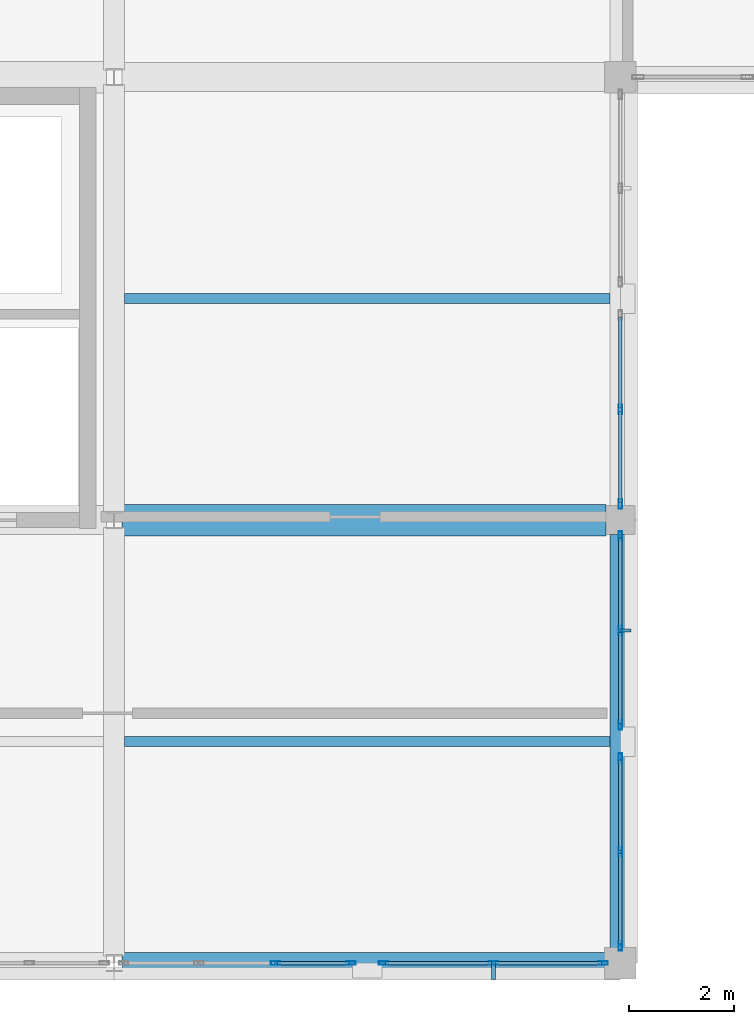
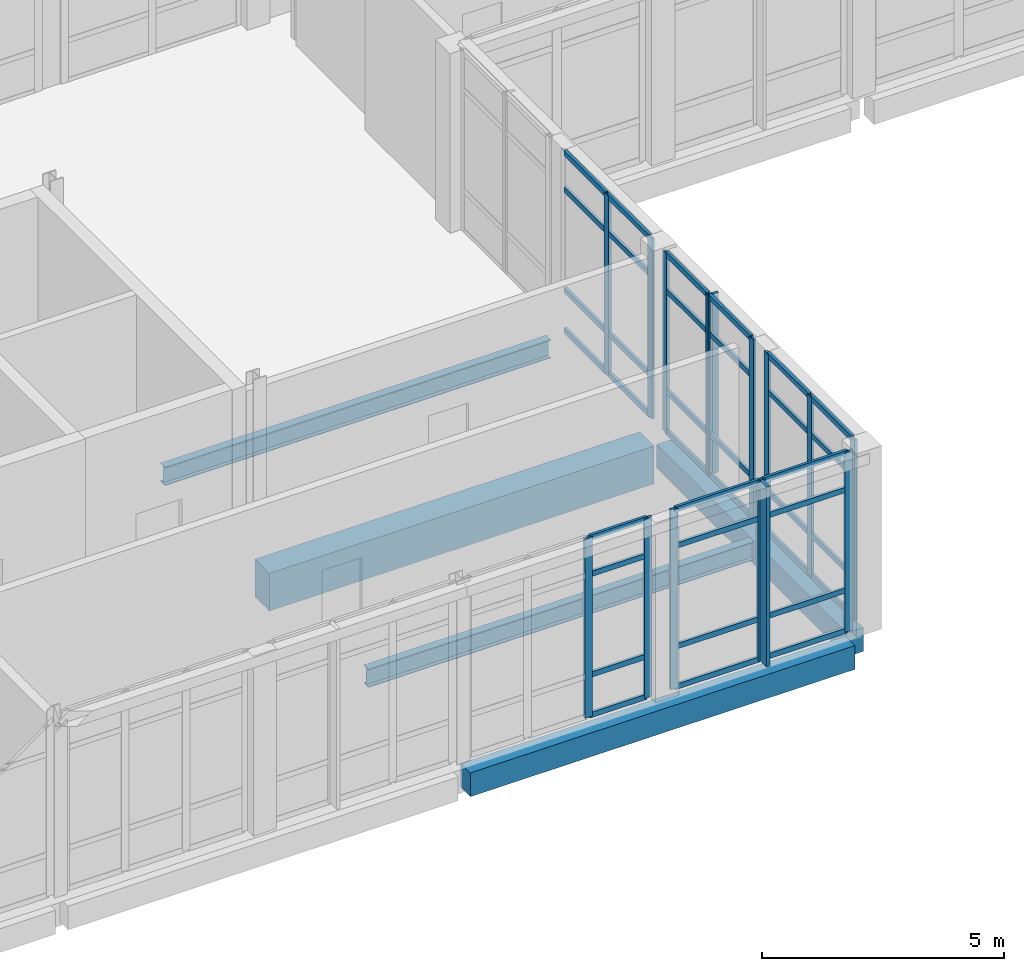
# One storey, part 16 of 88: 51 members, 5 beams, 5 elements without a shape of their own.
"""IFC4 building model written with IfcOpenShell, lengths in metres."""

from ifc_helpers import new_model, si_unit, direction, frame, origin, origin_2d, place, context, subcontext, project, spatial, rectangle, hollow_rectangle, i_section, extrude, material, layer, layer_set, material_profile, profile_set, type_object, element, aggregate, save


model = new_model("IFC4")

# Units and contexts
model_context = context("Model", 3, precision=1e-05, world=origin(), true_north=direction((0.0, 1.0)))
body_context = subcontext(model_context, "Body", "Model", "MODEL_VIEW")
ifc_project = project(units=[si_unit("LENGTHUNIT", "METRE"), si_unit("AREAUNIT", "SQUARE_METRE"), si_unit("VOLUMEUNIT", "CUBIC_METRE"), si_unit("PLANEANGLEUNIT", "RADIAN"), si_unit("MASSUNIT", "GRAM", prefix="KILO")], contexts=[model_context])

# Site, building, storey
site_placement = place(None, origin())
site = spatial("IfcSite", under=ifc_project, at=site_placement, CompositionType="ELEMENT")
building_placement = place(site_placement, origin())
building = spatial("IfcBuilding", under=site, at=building_placement, Name="Lornevale Opera House", CompositionType="ELEMENT")
storey_placement = place(building_placement, frame((0.0, 0.0, 10.199951171875)))
storey = spatial("IfcBuildingStorey", under=building, at=storey_placement, Name="L03", CompositionType="ELEMENT", Elevation=10.199951171875)

# Beams
ifc_material_1 = material(Name="Concrete 35 MPa (CSA A23.1 N)", Category="concrete")
ifc_material_profile_1 = material_profile(ifc_material_1, rectangle(XDim=0.60009765625, YDim=0.949951171875, at=origin_2d()), Name="RC600x950")
ifc_profile_set_1 = profile_set([ifc_material_profile_1], Name="Concrete 35 MPa (CSA A23.1 N)")
beam_type_1 = type_object("IfcBeamType", Name="Concrete Primary Girder 600x950", PredefinedType="USERDEFINED", material=ifc_profile_set_1)
beam_1_placement = place(storey_placement, frame((28.947021484375, 8.39990234375, -0.7548828125), z_axis=(1.0, 0.0, 0.0), x_axis=(0.0, 1.0, 0.0)))
element("IfcBeam", 1, at=beam_1_placement, inside=storey, type_object=beam_type_1, Name="Concrete Primary Girder 600x950 2088", ObjectType="GIRDER", PredefinedType="USERDEFINED", context=body_context, shape_type="SweptSolid", body=[
    extrude(rectangle(XDim=0.60009765625, YDim=0.949951171875, at=origin_2d()), origin(), (0.0, 0.0, 1.0), 9.177978515625),
])
ifc_material_profile_2 = material_profile(ifc_material_1, rectangle(XDim=0.39990234375, YDim=0.60009765625, at=origin_2d()), Name="RC400x600")
ifc_profile_set_2 = profile_set([ifc_material_profile_2], Name="Concrete 35 MPa (CSA A23.1 N)")
beam_type_2 = type_object("IfcBeamType", Name="Concrete Spandrel Beam 400x600", PredefinedType="SPANDREL", material=ifc_profile_set_2)
beam_2_placement = place(storey_placement, frame((28.947021484375, 0.0, -0.579833984375), z_axis=(1.0, 0.0, 0.0), x_axis=(0.0, 1.0, 0.0)))
element("IfcBeam", 2, at=beam_2_placement, inside=storey, type_object=beam_type_2, Name="Concrete Spandrel Beam 400x600 2085", PredefinedType="SPANDREL", context=body_context, shape_type="SweptSolid", body=[
    extrude(rectangle(XDim=0.39990234375, YDim=0.60009765625, at=origin_2d()), origin(), (0.0, 0.0, 1.0), 9.177978515625),
])
beam_3_placement = place(storey_placement, frame((38.39990234375, 0.27490234375, -0.579833984375), z_axis=(0.0, 1.0, 0.0), x_axis=(-1.0, 0.0, 0.0)))
element("IfcBeam", 3, at=beam_3_placement, inside=storey, type_object=beam_type_2, Name="Concrete Spandrel Beam 400x600 2257", PredefinedType="SPANDREL", context=body_context, shape_type="SweptSolid", body=[
    extrude(rectangle(XDim=0.39990234375, YDim=0.60009765625, at=origin_2d()), origin(), (0.0, 0.0, 1.0), 7.85009765625),
])

# Curtain wall, members
ifc_material_2 = material(Name="Anodized Oxide-Green Aluminium Framing", Category="aluminium")
ifc_layer = layer(ifc_material_2, 0.175048828125)
ifc_layer_set = layer_set([ifc_layer], Name="Anodized Oxide-Green Aluminium Framing")
curtain_wall_type = type_object("IfcCurtainWallType", Name="Chamber Cloister Curtain Wall M1700", PredefinedType="NOTDEFINED", material=ifc_layer_set)
curtain_wall_1_placement = place(storey_placement, origin())
curtain_wall_1 = element("IfcCurtainWall", 4, at=curtain_wall_1_placement, inside=storey, type_object=curtain_wall_type, Name="Chamber Cloister Curtain Wall M1700 CW-116", PredefinedType="NOTDEFINED")
ifc_material_profile_3 = material_profile(ifc_material_2, hollow_rectangle(XDim=0.06494140625, YDim=0.179931640625, WallThickness=0.0048828125, at=origin_2d()), Name="ALU65x180x5")
ifc_profile_set_3 = profile_set([ifc_material_profile_3], Name="Anodized Oxide-Green Aluminium Framing")
member_type_1 = type_object("IfcMemberType", Name="Curtain Wall Mullion 65x180", PredefinedType="MULLION", material=ifc_profile_set_3)
member_1_placement = place(storey_placement, frame((38.071533203125, 0.0, 0.0), z_axis=(0.0, 0.0, 1.0), x_axis=(0.0, -1.0, 0.0)))
member_1 = element("IfcMember", 5, at=member_1_placement, type_object=member_type_1, Name="Curtain Wall Mullion 65x180 CW2420", PredefinedType="MULLION", context=body_context, shape_type="SweptSolid", body=[
    extrude(hollow_rectangle(XDim=0.06494140625, YDim=0.179931640625, WallThickness=0.0048828125, at=origin_2d()), origin(), (0.0, 0.0, 1.0), 4.5400390625),
])
member_2_placement = place(storey_placement, frame((35.991943359375, 0.0, 0.0), z_axis=(0.0, 0.0, 1.0), x_axis=(0.0, -1.0, 0.0)))
member_2 = element("IfcMember", 6, at=member_2_placement, type_object=member_type_1, Name="Curtain Wall Mullion 65x180 CW2421", PredefinedType="MULLION", context=body_context, shape_type="SweptSolid", body=[
    extrude(hollow_rectangle(XDim=0.06494140625, YDim=0.179931640625, WallThickness=0.0048828125, at=origin_2d()), origin(), (0.0, 0.0, 1.0), 4.5400390625),
])
member_3_placement = place(storey_placement, frame((33.91259765625, 0.0, 0.0), z_axis=(0.0, 0.0, 1.0), x_axis=(0.0, -1.0, 0.0)))
member_3 = element("IfcMember", 7, at=member_3_placement, type_object=member_type_1, Name="Curtain Wall Mullion 65x180 CW2422", PredefinedType="MULLION", context=body_context, shape_type="SweptSolid", body=[
    extrude(hollow_rectangle(XDim=0.06494140625, YDim=0.179931640625, WallThickness=0.0048828125, at=origin_2d()), origin(), (0.0, 0.0, 1.0), 4.5400390625),
])

curtain_wall_2_placement = place(storey_placement, origin())
curtain_wall_2 = element("IfcCurtainWall", 8, at=curtain_wall_2_placement, inside=storey, type_object=curtain_wall_type, Name="Chamber Cloister Curtain Wall M1700 CW-117", PredefinedType="NOTDEFINED")
member_4_placement = place(storey_placement, frame((33.28759765625, 0.0, 0.0), z_axis=(0.0, 0.0, 1.0), x_axis=(0.0, -1.0, 0.0)))
member_4 = element("IfcMember", 9, at=member_4_placement, type_object=member_type_1, Name="Curtain Wall Mullion 65x180 CW2437", PredefinedType="MULLION", context=body_context, shape_type="SweptSolid", body=[
    extrude(hollow_rectangle(XDim=0.06494140625, YDim=0.179931640625, WallThickness=0.0048828125, at=origin_2d()), origin(), (0.0, 0.0, 1.0), 4.5400390625),
])
member_5_placement = place(storey_placement, frame((31.863525390625, 0.0, 0.0), z_axis=(0.0, 0.0, 1.0), x_axis=(0.0, -1.0, 0.0)))
member_5 = element("IfcMember", 10, at=member_5_placement, type_object=member_type_1, Name="Curtain Wall Mullion 65x180 CW2438", PredefinedType="MULLION", context=body_context, shape_type="SweptSolid", body=[
    extrude(hollow_rectangle(XDim=0.06494140625, YDim=0.179931640625, WallThickness=0.0048828125, at=origin_2d()), origin(), (0.0, 0.0, 1.0), 4.5400390625),
])

curtain_wall_3_placement = place(storey_placement, origin())
curtain_wall_3 = element("IfcCurtainWall", 11, at=curtain_wall_3_placement, inside=storey, type_object=curtain_wall_type, Name="Chamber Cloister Curtain Wall M1700 CW-118", PredefinedType="NOTDEFINED")
member_6_placement = place(storey_placement, frame((38.39990234375, 8.096435546875, 0.0), z_axis=(0.0, 0.0, 1.0), x_axis=(1.0, 0.0, 0.0)))
member_6 = element("IfcMember", 12, at=member_6_placement, type_object=member_type_1, Name="Curtain Wall Mullion 65x180 CW2462", PredefinedType="MULLION", context=body_context, shape_type="SweptSolid", body=[
    extrude(hollow_rectangle(XDim=0.06494140625, YDim=0.179931640625, WallThickness=0.0048828125, at=origin_2d()), origin(), (0.0, 0.0, 1.0), 4.5400390625),
])
member_7_placement = place(storey_placement, frame((38.39990234375, 6.304443359375, 0.0), z_axis=(0.0, 0.0, 1.0), x_axis=(1.0, 0.0, 0.0)))
member_7 = element("IfcMember", 13, at=member_7_placement, type_object=member_type_1, Name="Curtain Wall Mullion 65x180 CW2463", PredefinedType="MULLION", context=body_context, shape_type="SweptSolid", body=[
    extrude(hollow_rectangle(XDim=0.06494140625, YDim=0.179931640625, WallThickness=0.0048828125, at=origin_2d()), origin(), (0.0, 0.0, 1.0), 4.5400390625),
])
member_8_placement = place(storey_placement, frame((38.39990234375, 4.512451171875, 0.0), z_axis=(0.0, 0.0, 1.0), x_axis=(1.0, 0.0, 0.0)))
member_8 = element("IfcMember", 14, at=member_8_placement, type_object=member_type_1, Name="Curtain Wall Mullion 65x180 CW2464", PredefinedType="MULLION", context=body_context, shape_type="SweptSolid", body=[
    extrude(hollow_rectangle(XDim=0.06494140625, YDim=0.179931640625, WallThickness=0.0048828125, at=origin_2d()), origin(), (0.0, 0.0, 1.0), 4.5400390625),
])

curtain_wall_4_placement = place(storey_placement, origin())
curtain_wall_4 = element("IfcCurtainWall", 15, at=curtain_wall_4_placement, inside=storey, type_object=curtain_wall_type, Name="Chamber Cloister Curtain Wall M1700 CW-119", PredefinedType="NOTDEFINED")
member_9_placement = place(storey_placement, frame((38.39990234375, 3.887451171875, 0.0), z_axis=(0.0, 0.0, 1.0), x_axis=(1.0, 0.0, 0.0)))
member_9 = element("IfcMember", 16, at=member_9_placement, type_object=member_type_1, Name="Curtain Wall Mullion 65x180 CW2479", PredefinedType="MULLION", context=body_context, shape_type="SweptSolid", body=[
    extrude(hollow_rectangle(XDim=0.06494140625, YDim=0.179931640625, WallThickness=0.0048828125, at=origin_2d()), origin(), (0.0, 0.0, 1.0), 4.5400390625),
])
member_10_placement = place(storey_placement, frame((38.39990234375, 2.10791015625, 0.0), z_axis=(0.0, 0.0, 1.0), x_axis=(1.0, 0.0, 0.0)))
member_10 = element("IfcMember", 17, at=member_10_placement, type_object=member_type_1, Name="Curtain Wall Mullion 65x180 CW2480", PredefinedType="MULLION", context=body_context, shape_type="SweptSolid", body=[
    extrude(hollow_rectangle(XDim=0.06494140625, YDim=0.179931640625, WallThickness=0.0048828125, at=origin_2d()), origin(), (0.0, 0.0, 1.0), 4.5400390625),
])
member_11_placement = place(storey_placement, frame((38.39990234375, 0.32861328125, 0.0), z_axis=(0.0, 0.0, 1.0), x_axis=(1.0, 0.0, 0.0)))
member_11 = element("IfcMember", 18, at=member_11_placement, type_object=member_type_1, Name="Curtain Wall Mullion 65x180 CW2481", PredefinedType="MULLION", context=body_context, shape_type="SweptSolid", body=[
    extrude(hollow_rectangle(XDim=0.06494140625, YDim=0.179931640625, WallThickness=0.0048828125, at=origin_2d()), origin(), (0.0, 0.0, 1.0), 4.5400390625),
])

curtain_wall_5_placement = place(storey_placement, origin())
curtain_wall_5 = element("IfcCurtainWall", 19, at=curtain_wall_5_placement, inside=storey, type_object=curtain_wall_type, Name="Chamber Cloister Curtain Wall M1700 CW-121", PredefinedType="NOTDEFINED")
member_12_placement = place(storey_placement, frame((38.39990234375, 10.49560546875, 0.0), z_axis=(0.0, 0.0, 1.0), x_axis=(1.0, 0.0, 0.0)))
member_12 = element("IfcMember", 20, at=member_12_placement, type_object=member_type_1, Name="Curtain Wall Mullion 65x180 CW2514", PredefinedType="MULLION", context=body_context, shape_type="SweptSolid", body=[
    extrude(hollow_rectangle(XDim=0.06494140625, YDim=0.179931640625, WallThickness=0.0048828125, at=origin_2d()), origin(), (0.0, 0.0, 1.0), 4.5400390625),
])
member_13_placement = place(storey_placement, frame((38.39990234375, 8.70361328125, 0.0), z_axis=(0.0, 0.0, 1.0), x_axis=(1.0, 0.0, 0.0)))
member_13 = element("IfcMember", 21, at=member_13_placement, type_object=member_type_1, Name="Curtain Wall Mullion 65x180 CW2515", PredefinedType="MULLION", context=body_context, shape_type="SweptSolid", body=[
    extrude(hollow_rectangle(XDim=0.06494140625, YDim=0.179931640625, WallThickness=0.0048828125, at=origin_2d()), origin(), (0.0, 0.0, 1.0), 4.5400390625),
])

# Member
ifc_material_profile_4 = material_profile(ifc_material_2, hollow_rectangle(XDim=0.06494140625, YDim=0.135009765625, WallThickness=0.00390625, at=origin_2d()), Name="ALU65x135x4")
ifc_profile_set_4 = profile_set([ifc_material_profile_4], Name="Anodized Oxide-Green Aluminium Framing")
member_type_2 = type_object("IfcMemberType", Name="Curtain Wall Transom 65x135", PredefinedType="USERDEFINED", material=ifc_profile_set_4)
member_14_placement = place(storey_placement, frame((38.0390625, 0.0, 0.032470703125), z_axis=(-1.0, 0.0, 0.0), x_axis=(0.0, -1.0, 0.0)))
member_14 = element("IfcMember", 22, at=member_14_placement, type_object=member_type_2, Name="Curtain Wall Transom 65x135 CW2423", ObjectType="TRANSOM", PredefinedType="USERDEFINED", context=body_context, shape_type="SweptSolid", body=[
    extrude(hollow_rectangle(XDim=0.06494140625, YDim=0.135009765625, WallThickness=0.00390625, at=origin_2d()), origin(), (0.0, 0.0, 1.0), 2.0146484375),
])

member_15_placement = place(storey_placement, frame((38.0390625, 0.0, 1.050048828125), z_axis=(-1.0, 0.0, 0.0), x_axis=(0.0, -1.0, 0.0)))
member_15 = element("IfcMember", 23, at=member_15_placement, type_object=member_type_2, Name="Curtain Wall Transom 65x135 CW2424", ObjectType="TRANSOM", PredefinedType="USERDEFINED", context=body_context, shape_type="SweptSolid", body=[
    extrude(hollow_rectangle(XDim=0.06494140625, YDim=0.135009765625, WallThickness=0.00390625, at=origin_2d()), origin(), (0.0, 0.0, 1.0), 2.0146484375),
])

member_16_placement = place(storey_placement, frame((38.0390625, 0.0, 3.590087890625), z_axis=(-1.0, 0.0, 0.0), x_axis=(0.0, -1.0, 0.0)))
member_16 = element("IfcMember", 24, at=member_16_placement, type_object=member_type_2, Name="Curtain Wall Transom 65x135 CW2425", ObjectType="TRANSOM", PredefinedType="USERDEFINED", context=body_context, shape_type="SweptSolid", body=[
    extrude(hollow_rectangle(XDim=0.06494140625, YDim=0.135009765625, WallThickness=0.00390625, at=origin_2d()), origin(), (0.0, 0.0, 1.0), 2.0146484375),
])

member_17_placement = place(storey_placement, frame((38.0390625, 0.0, 4.507568359375), z_axis=(-1.0, 0.0, 0.0), x_axis=(0.0, -1.0, 0.0)))
member_17 = element("IfcMember", 25, at=member_17_placement, type_object=member_type_2, Name="Curtain Wall Transom 65x135 CW2426", ObjectType="TRANSOM", PredefinedType="USERDEFINED", context=body_context, shape_type="SweptSolid", body=[
    extrude(hollow_rectangle(XDim=0.06494140625, YDim=0.135009765625, WallThickness=0.00390625, at=origin_2d()), origin(), (0.0, 0.0, 1.0), 2.0146484375),
])

member_18_placement = place(storey_placement, frame((35.95947265625, 0.0, 0.032470703125), z_axis=(-1.0, 0.0, 0.0), x_axis=(0.0, -1.0, 0.0)))
member_18 = element("IfcMember", 26, at=member_18_placement, type_object=member_type_2, Name="Curtain Wall Transom 65x135 CW2430", ObjectType="TRANSOM", PredefinedType="USERDEFINED", context=body_context, shape_type="SweptSolid", body=[
    extrude(hollow_rectangle(XDim=0.06494140625, YDim=0.135009765625, WallThickness=0.00390625, at=origin_2d()), origin(), (0.0, 0.0, 1.0), 2.014404296875),
])

member_19_placement = place(storey_placement, frame((35.95947265625, 0.0, 1.050048828125), z_axis=(-1.0, 0.0, 0.0), x_axis=(0.0, -1.0, 0.0)))
member_19 = element("IfcMember", 27, at=member_19_placement, type_object=member_type_2, Name="Curtain Wall Transom 65x135 CW2431", ObjectType="TRANSOM", PredefinedType="USERDEFINED", context=body_context, shape_type="SweptSolid", body=[
    extrude(hollow_rectangle(XDim=0.06494140625, YDim=0.135009765625, WallThickness=0.00390625, at=origin_2d()), origin(), (0.0, 0.0, 1.0), 2.014404296875),
])

member_20_placement = place(storey_placement, frame((35.95947265625, 0.0, 3.590087890625), z_axis=(-1.0, 0.0, 0.0), x_axis=(0.0, -1.0, 0.0)))
member_20 = element("IfcMember", 28, at=member_20_placement, type_object=member_type_2, Name="Curtain Wall Transom 65x135 CW2432", ObjectType="TRANSOM", PredefinedType="USERDEFINED", context=body_context, shape_type="SweptSolid", body=[
    extrude(hollow_rectangle(XDim=0.06494140625, YDim=0.135009765625, WallThickness=0.00390625, at=origin_2d()), origin(), (0.0, 0.0, 1.0), 2.014404296875),
])

member_21_placement = place(storey_placement, frame((35.95947265625, 0.0, 4.507568359375), z_axis=(-1.0, 0.0, 0.0), x_axis=(0.0, -1.0, 0.0)))
member_21 = element("IfcMember", 29, at=member_21_placement, type_object=member_type_2, Name="Curtain Wall Transom 65x135 CW2433", ObjectType="TRANSOM", PredefinedType="USERDEFINED", context=body_context, shape_type="SweptSolid", body=[
    extrude(hollow_rectangle(XDim=0.06494140625, YDim=0.135009765625, WallThickness=0.00390625, at=origin_2d()), origin(), (0.0, 0.0, 1.0), 2.014404296875),
])

member_22_placement = place(storey_placement, frame((33.2548828125, 0.0, 0.032470703125), z_axis=(-1.0, 0.0, 0.0), x_axis=(0.0, -1.0, 0.0)))
member_22 = element("IfcMember", 30, at=member_22_placement, type_object=member_type_2, Name="Curtain Wall Transom 65x135 CW2441", ObjectType="TRANSOM", PredefinedType="USERDEFINED", context=body_context, shape_type="SweptSolid", body=[
    extrude(hollow_rectangle(XDim=0.06494140625, YDim=0.135009765625, WallThickness=0.00390625, at=origin_2d()), origin(), (0.0, 0.0, 1.0), 1.35888671875),
])

member_23_placement = place(storey_placement, frame((33.2548828125, 0.0, 1.050048828125), z_axis=(-1.0, 0.0, 0.0), x_axis=(0.0, -1.0, 0.0)))
member_23 = element("IfcMember", 31, at=member_23_placement, type_object=member_type_2, Name="Curtain Wall Transom 65x135 CW2442", ObjectType="TRANSOM", PredefinedType="USERDEFINED", context=body_context, shape_type="SweptSolid", body=[
    extrude(hollow_rectangle(XDim=0.06494140625, YDim=0.135009765625, WallThickness=0.00390625, at=origin_2d()), origin(), (0.0, 0.0, 1.0), 1.35888671875),
])

member_24_placement = place(storey_placement, frame((33.2548828125, 0.0, 3.590087890625), z_axis=(-1.0, 0.0, 0.0), x_axis=(0.0, -1.0, 0.0)))
member_24 = element("IfcMember", 32, at=member_24_placement, type_object=member_type_2, Name="Curtain Wall Transom 65x135 CW2443", ObjectType="TRANSOM", PredefinedType="USERDEFINED", context=body_context, shape_type="SweptSolid", body=[
    extrude(hollow_rectangle(XDim=0.06494140625, YDim=0.135009765625, WallThickness=0.00390625, at=origin_2d()), origin(), (0.0, 0.0, 1.0), 1.35888671875),
])

member_25_placement = place(storey_placement, frame((33.2548828125, 0.0, 4.507568359375), z_axis=(-1.0, 0.0, 0.0), x_axis=(0.0, -1.0, 0.0)))
member_25 = element("IfcMember", 33, at=member_25_placement, type_object=member_type_2, Name="Curtain Wall Transom 65x135 CW2444", ObjectType="TRANSOM", PredefinedType="USERDEFINED", context=body_context, shape_type="SweptSolid", body=[
    extrude(hollow_rectangle(XDim=0.06494140625, YDim=0.135009765625, WallThickness=0.00390625, at=origin_2d()), origin(), (0.0, 0.0, 1.0), 1.35888671875),
])

aggregate(curtain_wall_2, [member_4, member_5, member_22, member_23, member_24, member_25])

member_26_placement = place(storey_placement, frame((38.39990234375, 8.06396484375, 0.032470703125), z_axis=(0.0, -1.0, 0.0), x_axis=(1.0, 0.0, 0.0)))
member_26 = element("IfcMember", 34, at=member_26_placement, type_object=member_type_2, Name="Curtain Wall Transom 65x135 CW2465", ObjectType="TRANSOM", PredefinedType="USERDEFINED", context=body_context, shape_type="SweptSolid", body=[
    extrude(hollow_rectangle(XDim=0.06494140625, YDim=0.135009765625, WallThickness=0.00390625, at=origin_2d()), origin(), (0.0, 0.0, 1.0), 1.72705078125),
])

member_27_placement = place(storey_placement, frame((38.39990234375, 8.06396484375, 1.050048828125), z_axis=(0.0, -1.0, 0.0), x_axis=(1.0, 0.0, 0.0)))
member_27 = element("IfcMember", 35, at=member_27_placement, type_object=member_type_2, Name="Curtain Wall Transom 65x135 CW2466", ObjectType="TRANSOM", PredefinedType="USERDEFINED", context=body_context, shape_type="SweptSolid", body=[
    extrude(hollow_rectangle(XDim=0.06494140625, YDim=0.135009765625, WallThickness=0.00390625, at=origin_2d()), origin(), (0.0, 0.0, 1.0), 1.72705078125),
])

member_28_placement = place(storey_placement, frame((38.39990234375, 8.06396484375, 3.590087890625), z_axis=(0.0, -1.0, 0.0), x_axis=(1.0, 0.0, 0.0)))
member_28 = element("IfcMember", 36, at=member_28_placement, type_object=member_type_2, Name="Curtain Wall Transom 65x135 CW2467", ObjectType="TRANSOM", PredefinedType="USERDEFINED", context=body_context, shape_type="SweptSolid", body=[
    extrude(hollow_rectangle(XDim=0.06494140625, YDim=0.135009765625, WallThickness=0.00390625, at=origin_2d()), origin(), (0.0, 0.0, 1.0), 1.72705078125),
])

member_29_placement = place(storey_placement, frame((38.39990234375, 8.06396484375, 4.507568359375), z_axis=(0.0, -1.0, 0.0), x_axis=(1.0, 0.0, 0.0)))
member_29 = element("IfcMember", 37, at=member_29_placement, type_object=member_type_2, Name="Curtain Wall Transom 65x135 CW2468", ObjectType="TRANSOM", PredefinedType="USERDEFINED", context=body_context, shape_type="SweptSolid", body=[
    extrude(hollow_rectangle(XDim=0.06494140625, YDim=0.135009765625, WallThickness=0.00390625, at=origin_2d()), origin(), (0.0, 0.0, 1.0), 1.72705078125),
])

member_30_placement = place(storey_placement, frame((38.39990234375, 6.27197265625, 0.032470703125), z_axis=(0.0, -1.0, 0.0), x_axis=(1.0, 0.0, 0.0)))
member_30 = element("IfcMember", 38, at=member_30_placement, type_object=member_type_2, Name="Curtain Wall Transom 65x135 CW2472", ObjectType="TRANSOM", PredefinedType="USERDEFINED", context=body_context, shape_type="SweptSolid", body=[
    extrude(hollow_rectangle(XDim=0.06494140625, YDim=0.135009765625, WallThickness=0.00390625, at=origin_2d()), origin(), (0.0, 0.0, 1.0), 1.72705078125),
])

member_31_placement = place(storey_placement, frame((38.39990234375, 6.27197265625, 1.050048828125), z_axis=(0.0, -1.0, 0.0), x_axis=(1.0, 0.0, 0.0)))
member_31 = element("IfcMember", 39, at=member_31_placement, type_object=member_type_2, Name="Curtain Wall Transom 65x135 CW2473", ObjectType="TRANSOM", PredefinedType="USERDEFINED", context=body_context, shape_type="SweptSolid", body=[
    extrude(hollow_rectangle(XDim=0.06494140625, YDim=0.135009765625, WallThickness=0.00390625, at=origin_2d()), origin(), (0.0, 0.0, 1.0), 1.72705078125),
])

member_32_placement = place(storey_placement, frame((38.39990234375, 6.27197265625, 3.590087890625), z_axis=(0.0, -1.0, 0.0), x_axis=(1.0, 0.0, 0.0)))
member_32 = element("IfcMember", 40, at=member_32_placement, type_object=member_type_2, Name="Curtain Wall Transom 65x135 CW2474", ObjectType="TRANSOM", PredefinedType="USERDEFINED", context=body_context, shape_type="SweptSolid", body=[
    extrude(hollow_rectangle(XDim=0.06494140625, YDim=0.135009765625, WallThickness=0.00390625, at=origin_2d()), origin(), (0.0, 0.0, 1.0), 1.72705078125),
])

member_33_placement = place(storey_placement, frame((38.39990234375, 6.27197265625, 4.507568359375), z_axis=(0.0, -1.0, 0.0), x_axis=(1.0, 0.0, 0.0)))
member_33 = element("IfcMember", 41, at=member_33_placement, type_object=member_type_2, Name="Curtain Wall Transom 65x135 CW2475", ObjectType="TRANSOM", PredefinedType="USERDEFINED", context=body_context, shape_type="SweptSolid", body=[
    extrude(hollow_rectangle(XDim=0.06494140625, YDim=0.135009765625, WallThickness=0.00390625, at=origin_2d()), origin(), (0.0, 0.0, 1.0), 1.72705078125),
])

member_34_placement = place(storey_placement, frame((38.39990234375, 3.85498046875, 0.032470703125), z_axis=(0.0, -1.0, 0.0), x_axis=(1.0, 0.0, 0.0)))
member_34 = element("IfcMember", 42, at=member_34_placement, type_object=member_type_2, Name="Curtain Wall Transom 65x135 CW2482", ObjectType="TRANSOM", PredefinedType="USERDEFINED", context=body_context, shape_type="SweptSolid", body=[
    extrude(hollow_rectangle(XDim=0.06494140625, YDim=0.135009765625, WallThickness=0.00390625, at=origin_2d()), origin(), (0.0, 0.0, 1.0), 1.714599609375),
])

member_35_placement = place(storey_placement, frame((38.39990234375, 3.85498046875, 1.050048828125), z_axis=(0.0, -1.0, 0.0), x_axis=(1.0, 0.0, 0.0)))
member_35 = element("IfcMember", 43, at=member_35_placement, type_object=member_type_2, Name="Curtain Wall Transom 65x135 CW2483", ObjectType="TRANSOM", PredefinedType="USERDEFINED", context=body_context, shape_type="SweptSolid", body=[
    extrude(hollow_rectangle(XDim=0.06494140625, YDim=0.135009765625, WallThickness=0.00390625, at=origin_2d()), origin(), (0.0, 0.0, 1.0), 1.714599609375),
])

member_36_placement = place(storey_placement, frame((38.39990234375, 3.85498046875, 3.590087890625), z_axis=(0.0, -1.0, 0.0), x_axis=(1.0, 0.0, 0.0)))
member_36 = element("IfcMember", 44, at=member_36_placement, type_object=member_type_2, Name="Curtain Wall Transom 65x135 CW2484", ObjectType="TRANSOM", PredefinedType="USERDEFINED", context=body_context, shape_type="SweptSolid", body=[
    extrude(hollow_rectangle(XDim=0.06494140625, YDim=0.135009765625, WallThickness=0.00390625, at=origin_2d()), origin(), (0.0, 0.0, 1.0), 1.714599609375),
])

member_37_placement = place(storey_placement, frame((38.39990234375, 3.85498046875, 4.507568359375), z_axis=(0.0, -1.0, 0.0), x_axis=(1.0, 0.0, 0.0)))
member_37 = element("IfcMember", 45, at=member_37_placement, type_object=member_type_2, Name="Curtain Wall Transom 65x135 CW2485", ObjectType="TRANSOM", PredefinedType="USERDEFINED", context=body_context, shape_type="SweptSolid", body=[
    extrude(hollow_rectangle(XDim=0.06494140625, YDim=0.135009765625, WallThickness=0.00390625, at=origin_2d()), origin(), (0.0, 0.0, 1.0), 1.714599609375),
])

member_38_placement = place(storey_placement, frame((38.39990234375, 2.075439453125, 0.032470703125), z_axis=(0.0, -1.0, 0.0), x_axis=(1.0, 0.0, 0.0)))
member_38 = element("IfcMember", 46, at=member_38_placement, type_object=member_type_2, Name="Curtain Wall Transom 65x135 CW2489", ObjectType="TRANSOM", PredefinedType="USERDEFINED", context=body_context, shape_type="SweptSolid", body=[
    extrude(hollow_rectangle(XDim=0.06494140625, YDim=0.135009765625, WallThickness=0.00390625, at=origin_2d()), origin(), (0.0, 0.0, 1.0), 1.71435546875),
])

member_39_placement = place(storey_placement, frame((38.39990234375, 2.075439453125, 1.050048828125), z_axis=(0.0, -1.0, 0.0), x_axis=(1.0, 0.0, 0.0)))
member_39 = element("IfcMember", 47, at=member_39_placement, type_object=member_type_2, Name="Curtain Wall Transom 65x135 CW2490", ObjectType="TRANSOM", PredefinedType="USERDEFINED", context=body_context, shape_type="SweptSolid", body=[
    extrude(hollow_rectangle(XDim=0.06494140625, YDim=0.135009765625, WallThickness=0.00390625, at=origin_2d()), origin(), (0.0, 0.0, 1.0), 1.71435546875),
])

member_40_placement = place(storey_placement, frame((38.39990234375, 2.075439453125, 3.590087890625), z_axis=(0.0, -1.0, 0.0), x_axis=(1.0, 0.0, 0.0)))
member_40 = element("IfcMember", 48, at=member_40_placement, type_object=member_type_2, Name="Curtain Wall Transom 65x135 CW2491", ObjectType="TRANSOM", PredefinedType="USERDEFINED", context=body_context, shape_type="SweptSolid", body=[
    extrude(hollow_rectangle(XDim=0.06494140625, YDim=0.135009765625, WallThickness=0.00390625, at=origin_2d()), origin(), (0.0, 0.0, 1.0), 1.71435546875),
])

member_41_placement = place(storey_placement, frame((38.39990234375, 2.075439453125, 4.507568359375), z_axis=(0.0, -1.0, 0.0), x_axis=(1.0, 0.0, 0.0)))
member_41 = element("IfcMember", 49, at=member_41_placement, type_object=member_type_2, Name="Curtain Wall Transom 65x135 CW2492", ObjectType="TRANSOM", PredefinedType="USERDEFINED", context=body_context, shape_type="SweptSolid", body=[
    extrude(hollow_rectangle(XDim=0.06494140625, YDim=0.135009765625, WallThickness=0.00390625, at=origin_2d()), origin(), (0.0, 0.0, 1.0), 1.71435546875),
])

aggregate(curtain_wall_4, [member_9, member_10, member_11, member_34, member_35, member_36, member_37, member_38, member_39, member_40, member_41])

member_42_placement = place(storey_placement, frame((38.39990234375, 12.2548828125, 0.032470703125), z_axis=(0.0, -1.0, 0.0), x_axis=(1.0, 0.0, 0.0)))
member_42 = element("IfcMember", 50, at=member_42_placement, type_object=member_type_2, Name="Curtain Wall Transom 65x135 CW2516", ObjectType="TRANSOM", PredefinedType="USERDEFINED", context=body_context, shape_type="SweptSolid", body=[
    extrude(hollow_rectangle(XDim=0.06494140625, YDim=0.135009765625, WallThickness=0.00390625, at=origin_2d()), origin(), (0.0, 0.0, 1.0), 1.726806640625),
])

member_43_placement = place(storey_placement, frame((38.39990234375, 12.2548828125, 1.050048828125), z_axis=(0.0, -1.0, 0.0), x_axis=(1.0, 0.0, 0.0)))
member_43 = element("IfcMember", 51, at=member_43_placement, type_object=member_type_2, Name="Curtain Wall Transom 65x135 CW2517", ObjectType="TRANSOM", PredefinedType="USERDEFINED", context=body_context, shape_type="SweptSolid", body=[
    extrude(hollow_rectangle(XDim=0.06494140625, YDim=0.135009765625, WallThickness=0.00390625, at=origin_2d()), origin(), (0.0, 0.0, 1.0), 1.726806640625),
])

member_44_placement = place(storey_placement, frame((38.39990234375, 12.2548828125, 3.590087890625), z_axis=(0.0, -1.0, 0.0), x_axis=(1.0, 0.0, 0.0)))
member_44 = element("IfcMember", 52, at=member_44_placement, type_object=member_type_2, Name="Curtain Wall Transom 65x135 CW2518", ObjectType="TRANSOM", PredefinedType="USERDEFINED", context=body_context, shape_type="SweptSolid", body=[
    extrude(hollow_rectangle(XDim=0.06494140625, YDim=0.135009765625, WallThickness=0.00390625, at=origin_2d()), origin(), (0.0, 0.0, 1.0), 1.726806640625),
])

member_45_placement = place(storey_placement, frame((38.39990234375, 12.2548828125, 4.507568359375), z_axis=(0.0, -1.0, 0.0), x_axis=(1.0, 0.0, 0.0)))
member_45 = element("IfcMember", 53, at=member_45_placement, type_object=member_type_2, Name="Curtain Wall Transom 65x135 CW2519", ObjectType="TRANSOM", PredefinedType="USERDEFINED", context=body_context, shape_type="SweptSolid", body=[
    extrude(hollow_rectangle(XDim=0.06494140625, YDim=0.135009765625, WallThickness=0.00390625, at=origin_2d()), origin(), (0.0, 0.0, 1.0), 1.726806640625),
])

member_46_placement = place(storey_placement, frame((38.39990234375, 10.462890625, 0.032470703125), z_axis=(0.0, -1.0, 0.0), x_axis=(1.0, 0.0, 0.0)))
member_46 = element("IfcMember", 54, at=member_46_placement, type_object=member_type_2, Name="Curtain Wall Transom 65x135 CW2523", ObjectType="TRANSOM", PredefinedType="USERDEFINED", context=body_context, shape_type="SweptSolid", body=[
    extrude(hollow_rectangle(XDim=0.06494140625, YDim=0.135009765625, WallThickness=0.00390625, at=origin_2d()), origin(), (0.0, 0.0, 1.0), 1.726806640625),
])

member_47_placement = place(storey_placement, frame((38.39990234375, 10.462890625, 1.050048828125), z_axis=(0.0, -1.0, 0.0), x_axis=(1.0, 0.0, 0.0)))
member_47 = element("IfcMember", 55, at=member_47_placement, type_object=member_type_2, Name="Curtain Wall Transom 65x135 CW2524", ObjectType="TRANSOM", PredefinedType="USERDEFINED", context=body_context, shape_type="SweptSolid", body=[
    extrude(hollow_rectangle(XDim=0.06494140625, YDim=0.135009765625, WallThickness=0.00390625, at=origin_2d()), origin(), (0.0, 0.0, 1.0), 1.726806640625),
])

member_48_placement = place(storey_placement, frame((38.39990234375, 10.462890625, 3.590087890625), z_axis=(0.0, -1.0, 0.0), x_axis=(1.0, 0.0, 0.0)))
member_48 = element("IfcMember", 56, at=member_48_placement, type_object=member_type_2, Name="Curtain Wall Transom 65x135 CW2525", ObjectType="TRANSOM", PredefinedType="USERDEFINED", context=body_context, shape_type="SweptSolid", body=[
    extrude(hollow_rectangle(XDim=0.06494140625, YDim=0.135009765625, WallThickness=0.00390625, at=origin_2d()), origin(), (0.0, 0.0, 1.0), 1.726806640625),
])

member_49_placement = place(storey_placement, frame((38.39990234375, 10.462890625, 4.507568359375), z_axis=(0.0, -1.0, 0.0), x_axis=(1.0, 0.0, 0.0)))
member_49 = element("IfcMember", 57, at=member_49_placement, type_object=member_type_2, Name="Curtain Wall Transom 65x135 CW2526", ObjectType="TRANSOM", PredefinedType="USERDEFINED", context=body_context, shape_type="SweptSolid", body=[
    extrude(hollow_rectangle(XDim=0.06494140625, YDim=0.135009765625, WallThickness=0.00390625, at=origin_2d()), origin(), (0.0, 0.0, 1.0), 1.726806640625),
])

aggregate(curtain_wall_5, [member_12, member_13, member_42, member_43, member_44, member_45, member_46, member_47, member_48, member_49])

ifc_material_3 = material(Name="Architectural Bronze Solar Louvre Alloy", Category="metal")
ifc_material_profile_5 = material_profile(ifc_material_3, rectangle(XDim=0.06005859375, YDim=0.239990234375, at=origin_2d()), Name="FIN60x240")
ifc_profile_set_5 = profile_set([ifc_material_profile_5], Name="Architectural Bronze Solar Louvre Alloy")
member_type_3 = type_object("IfcMemberType", Name="Solar Shading Fin 60x240", PredefinedType="USERDEFINED", material=ifc_profile_set_5)
member_50_placement = place(storey_placement, frame((38.48388671875, 6.304443359375, 0.0), z_axis=(0.0, 0.0, 1.0), x_axis=(0.0, -1.0, 0.0)))
member_50 = element("IfcMember", 58, at=member_50_placement, type_object=member_type_3, Name="Solar Shading Fin 60x240 FIN0048", ObjectType="SOLAR FIN", PredefinedType="USERDEFINED", context=body_context, shape_type="SweptSolid", body=[
    extrude(rectangle(XDim=0.06005859375, YDim=0.239990234375, at=origin_2d()), origin(), (0.0, 0.0, 1.0), 4.5400390625),
])

aggregate(curtain_wall_3, [member_6, member_7, member_8, member_26, member_27, member_28, member_29, member_30, member_31, member_32, member_33, member_50])

ifc_material_profile_6 = material_profile(ifc_material_3, rectangle(XDim=0.080078125, YDim=0.360107421875, at=origin_2d()), Name="FIN80x360")
ifc_profile_set_6 = profile_set([ifc_material_profile_6], Name="Architectural Bronze Solar Louvre Alloy")
member_type_4 = type_object("IfcMemberType", Name="Solar Shading Fin 80x360", PredefinedType="USERDEFINED", material=ifc_profile_set_6)
member_51_placement = place(storey_placement, frame((35.991943359375, -0.1259765625, 0.0), z_axis=(0.0, 0.0, 1.0), x_axis=(-1.0, 0.0, 0.0)))
member_51 = element("IfcMember", 59, at=member_51_placement, type_object=member_type_4, Name="Solar Shading Fin 80x360 FIN0047", ObjectType="SOLAR FIN", PredefinedType="USERDEFINED", context=body_context, shape_type="SweptSolid", body=[
    extrude(rectangle(XDim=0.080078125, YDim=0.360107421875, at=origin_2d()), origin(), (0.0, 0.0, 1.0), 4.5400390625),
])

aggregate(curtain_wall_1, [member_1, member_2, member_3, member_14, member_15, member_16, member_17, member_18, member_19, member_20, member_21, member_51])

# Beams
ifc_material_4 = material(Name="Structural Steel CSA G40.21 Grade 350W (350 MPa)", Category="steel")
ifc_material_profile_7 = material_profile(ifc_material_4, i_section(OverallWidth=0.19189453125, OverallDepth=0.462890625, WebThickness=0.010498046875, FlangeThickness=0.017578125, at=origin_2d()), Name="W460x89")
ifc_profile_set_7 = profile_set([ifc_material_profile_7], Name="Structural Steel CSA G40.21 Grade 350W (350 MPa)")
beam_type_3 = type_object("IfcBeamType", Name="Steel Floor Joist W460x89", PredefinedType="JOIST", material=ifc_profile_set_7)
for number, where, z_axis, x_axis, name in (
    (60, (29.0, 4.199951171875, -0.5263671875), (1.0, 0.0, 0.0), (0.0, 1.0, 0.0), "Steel Floor Joist W460x89 2377"),
    (61, (29.0, 12.60009765625, -0.5263671875), (1.0, 0.0, 0.0), (0.0, 1.0, 0.0), "Steel Floor Joist W460x89 2378"),
):
    element("IfcBeam", number, at=place(storey_placement, frame(where, z_axis=z_axis, x_axis=x_axis)), inside=storey, type_object=beam_type_3, Name=name, PredefinedType="JOIST", context=body_context, shape_type="SweptSolid", body=[
        extrude(i_section(OverallWidth=0.19189453125, OverallDepth=0.462890625, WebThickness=0.010498046875, FlangeThickness=0.017578125, at=origin_2d()), origin(), (0.0, 0.0, 1.0), 9.199951171875),
    ])

save(model, "model.ifc")
